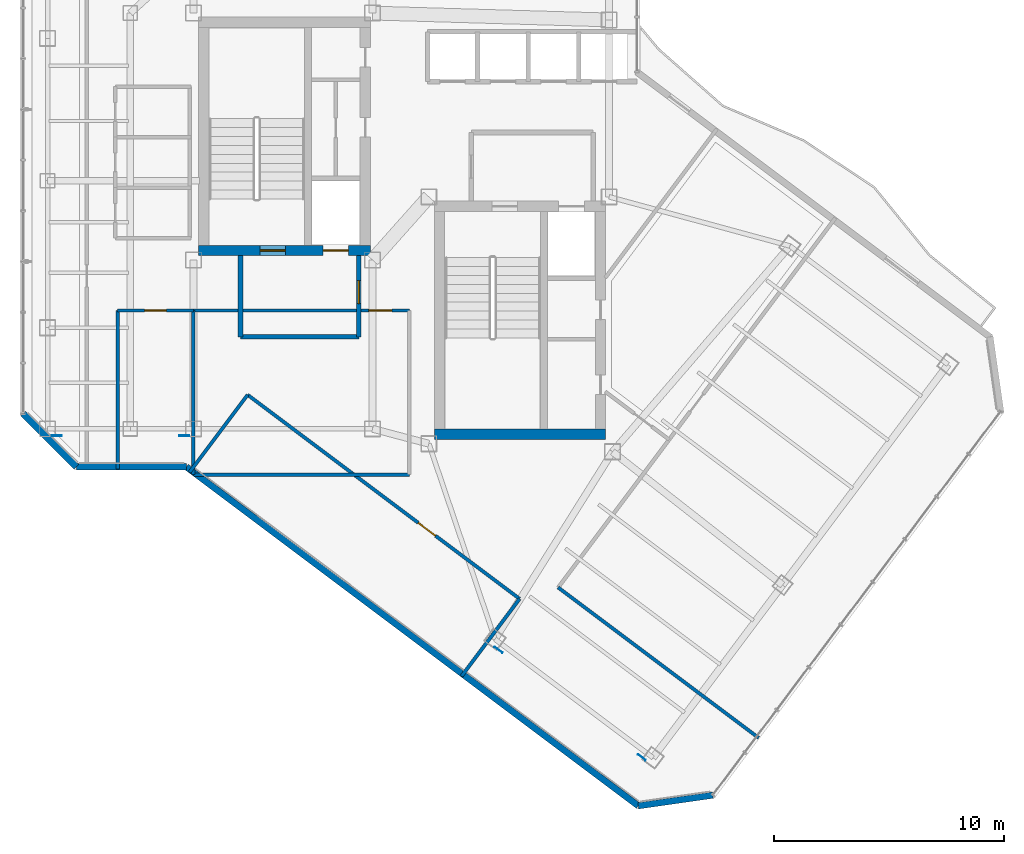
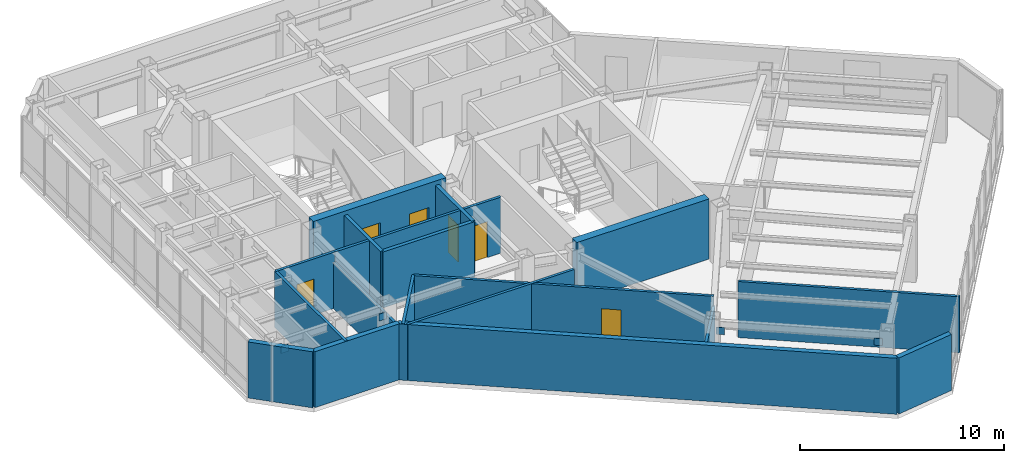
# One storey, part 19 of 25: 18 walls, 6 doors, 4 plates, 6 openings.
"""IFC4 building model written with IfcOpenShell, lengths in metres."""

from ifc_helpers import new_model, si_unit, direction, frame, frame_2d, origin, origin_2d, place, context, subcontext, project, spatial, rectangle, extrude, material, layer, layer_set, type_object, element, fill, save


model = new_model("IFC4")

# Units and contexts
model_context = context("Model", 3, precision=1e-05, world=origin(), true_north=direction((0.0, 1.0)))
body_context = subcontext(model_context, "Body", "Model", "MODEL_VIEW")
ifc_project = project(units=[si_unit("LENGTHUNIT", "METRE"), si_unit("AREAUNIT", "SQUARE_METRE"), si_unit("VOLUMEUNIT", "CUBIC_METRE"), si_unit("PLANEANGLEUNIT", "RADIAN"), si_unit("MASSUNIT", "GRAM", prefix="KILO")], contexts=[model_context])

# Site, building, storey
site_placement = place(None, origin())
site = spatial("IfcSite", under=ifc_project, at=site_placement, CompositionType="ELEMENT")
building_placement = place(site_placement, origin())
building = spatial("IfcBuilding", under=site, at=building_placement, Name="Hatsunagi Terrace Concourse", CompositionType="ELEMENT")
storey_placement = place(building_placement, frame((0.0, 0.0, 220.35009765625)))
storey = spatial("IfcBuildingStorey", under=building, at=storey_placement, Name="L58", CompositionType="ELEMENT", Elevation=220.35009765625)

# Plates
ifc_material_1 = material(Name="Steel SN490C", Category="steel")
ifc_layer_1 = layer(ifc_material_1, 0.031982421875)
ifc_layer_set_1 = layer_set([ifc_layer_1], Name="XBraceNodeCapPlate_32")
plate_type = type_object("IfcPlateType", Name="XBraceNodeCapPlate_32", PredefinedType="USERDEFINED", material=ifc_layer_set_1)
for number, where, z_axis, x_axis, name in (
    (1, (19.60009765625, 24.89990234375, 2.699951171875), (0.0, 0.0, 1.0), (1.0, 0.0, 0.0), "Cast-In Core and Node Embed Plate GP-02 EP-XB-L56-W1-AT"),
    (2, (25.14990234375, 24.89990234375, 2.699951171875), (0.0, 0.0, 1.0), (1.0, 0.0, 0.0), "Cast-In Core and Node Embed Plate GP-02 EP-XB-L56-W1-BT"),
    (3, (38.83203125, 15.575927734375, 2.699951171875), (0.0, 0.0, 1.0), (0.799999996291, -0.600000004945, 0.0), "Cast-In Core and Node Embed Plate GP-02 EP-XB-L56-SE-AT"),
    (4, (45.072021484375, 10.89599609375, 2.699951171875), (0.0, 0.0, 1.0), (0.799999996291, -0.600000004945, 0.0), "Cast-In Core and Node Embed Plate GP-02 EP-XB-L56-SE-BT"),
):
    element("IfcPlate", number, at=place(storey_placement, frame(where, z_axis=z_axis, x_axis=x_axis)), inside=storey, type_object=plate_type, Name=name, ObjectType="GUSSET_PLATE", PredefinedType="USERDEFINED", context=body_context, shape_type="SweptSolid", body=[
        extrude(rectangle(XDim=0.419921875, YDim=0.031982421875, at=origin_2d()), origin(), (0.0, 0.0, 1.0), 0.419921875),
    ])

# Wall, openings, doors
ifc_material_2 = material(Name="Concrete Fc42", Category="concrete")
ifc_layer_2 = layer(ifc_material_2, 0.449951171875)
ifc_layer_set_2 = layer_set([ifc_layer_2], Name="CoreShearWall_Fc42_450")
wall_type_1 = type_object("IfcWallType", Name="CoreShearWall_Fc42_450", PredefinedType="SHEAR", material=ifc_layer_set_2)
wall_1_placement = place(storey_placement, frame((25.77001953125, 32.965087890625, 0.0), z_axis=(0.0, 0.0, 1.0), x_axis=(1.0, 0.0, 0.0)))
wall_1 = element("IfcWall", 5, at=wall_1_placement, inside=storey, type_object=wall_type_1, Name="Core A Shear Wall S L58", PredefinedType="SHEAR", context=body_context, shape_type="SweptSolid", body=[
    extrude(rectangle(XDim=7.47998046875, YDim=0.449951171875, at=frame_2d((3.739990234375, 0.0))), origin(), (0.0, 0.0, 1.0), 3.599853515625),
])
opening_1_placement = place(wall_1_placement, frame((2.679931640625, 0.0, 0.0)))
opening_1 = element("IfcOpeningElement", 6, at=opening_1_placement, cuts=wall_1, Name="Opening DR-110S", PredefinedType="OPENING", context=body_context, shape_type="SweptSolid", body=[
    extrude(rectangle(XDim=1.10009765625, YDim=2.199951171875, at=frame_2d((0.550048828125, 1.10009765625))), frame((0.0, 0.23486328125, 0.0), z_axis=(0.0, -1.0, 0.0), x_axis=(1.0, 0.0, 0.0)), (0.0, 0.0, 1.0), 0.469970703125),
])
opening_2_placement = place(wall_1_placement, frame((5.429931640625, 0.0, 0.0)))
opening_2 = element("IfcOpeningElement", 7, at=opening_2_placement, cuts=wall_1, Name="Opening LD-01", PredefinedType="OPENING", context=body_context, shape_type="SweptSolid", body=[
    extrude(rectangle(XDim=1.10009765625, YDim=2.14990234375, at=frame_2d((0.550048828125, 1.074951171875))), frame((0.0, 0.23486328125, 0.0), z_axis=(0.0, -1.0, 0.0), x_axis=(1.0, 0.0, 0.0)), (0.0, 0.0, 1.0), 0.469970703125),
])
ifc_material_3 = material(Name="Stainless steel", Category="steel")
door_type_1 = type_object("IfcDoorType", Name="LiftLandingDoor_LD01", OperationType="SLIDING_TO_LEFT", PredefinedType="USERDEFINED", material=ifc_material_3)
door_1_placement = place(opening_2_placement, origin())
door_1 = element("IfcDoor", 8, at=door_1_placement, inside=storey, type_object=door_type_1, Name="Lift landing door FF-01 L58", ObjectType="SLIDING_LANDING_DOOR", OperationType="SLIDING_TO_LEFT", OverallHeight=2.14990234375, OverallWidth=1.10009765625, PredefinedType="USERDEFINED", context=body_context, shape_type="SweptSolid", body=[
    extrude(rectangle(XDim=1.10009765625, YDim=2.14990234375, at=frame_2d((0.550048828125, 1.074951171875))), frame((0.0, 0.02490234375, 0.0), z_axis=(0.0, -1.0, 0.0), x_axis=(1.0, 0.0, 0.0)), (0.0, 0.0, 1.0), 0.050048828125),
])
fill(opening_2, door_1)
ifc_material_4 = material(Name="Painted steel", Category="steel")
door_type_2 = type_object("IfcDoorType", Name="StairFireDoor_EI60_1100", OperationType="NOTDEFINED", PredefinedType="DOOR", material=ifc_material_4)
door_2_placement = place(opening_1_placement, origin())
door_2 = element("IfcDoor", 9, at=door_2_placement, inside=storey, type_object=door_type_2, Name="Stair ST-A Exit Door L58", OperationType="SINGLE_SWING_LEFT", OverallHeight=2.199951171875, OverallWidth=1.10009765625, PredefinedType="DOOR", context=body_context, shape_type="SweptSolid", body=[
    extrude(rectangle(XDim=1.10009765625, YDim=2.199951171875, at=frame_2d((0.550048828125, 1.10009765625))), frame((0.0, 0.02490234375, 0.0), z_axis=(0.0, -1.0, 0.0), x_axis=(1.0, 0.0, 0.0)), (0.0, 0.0, 1.0), 0.050048828125),
])
fill(opening_1, door_2)

# Walls
wall_2_placement = place(storey_placement, frame((36.0400390625, 24.965087890625, 0.0), z_axis=(0.0, 0.0, 1.0), x_axis=(1.0, 0.0, 0.0)))
element("IfcWall", 10, at=wall_2_placement, inside=storey, type_object=wall_type_1, Name="Core B Shear Wall S L58", PredefinedType="SHEAR", context=body_context, shape_type="SweptSolid", body=[
    extrude(rectangle(XDim=7.4599609375, YDim=0.449951171875, at=frame_2d((3.72998046875, 0.0))), origin(), (0.0, 0.0, 1.0), 3.599853515625),
])
ifc_material_5 = material(Name="Acoustic mineral board", Category="gypsum")
ifc_layer_3 = layer(ifc_material_5, 0.14990234375)
ifc_layer_set_3 = layer_set([ifc_layer_3], Name="PartitionWall_EI60_150")
wall_type_2 = type_object("IfcWallType", Name="PartitionWall_EI60_150", PredefinedType="PARTITIONING", material=ifc_layer_set_3)
wall_3_placement = place(storey_placement, frame((25.550048828125, 23.199951171875, 0.0), z_axis=(0.0, 0.0, 1.0), x_axis=(1.0, 0.0, 0.0)))
element("IfcWall", 11, at=wall_3_placement, inside=storey, type_object=wall_type_2, Name="Interior Partition IW-L58-026", PredefinedType="PARTITIONING", context=body_context, shape_type="SweptSolid", body=[
    extrude(rectangle(XDim=9.39990234375, YDim=0.14990234375, at=frame_2d((4.699951171875, 0.0))), origin(), (0.0, 0.0, 1.0), 3.349853515625),
])

# Wall, opening, door
wall_4_placement = place(storey_placement, frame((25.550048828125, 30.35009765625, 0.0), z_axis=(0.0, 0.0, 1.0), x_axis=(1.0, 0.0, 0.0)))
wall_4 = element("IfcWall", 12, at=wall_4_placement, inside=storey, type_object=wall_type_2, Name="Interior Partition IW-L58-027", PredefinedType="PARTITIONING", context=body_context, shape_type="SweptSolid", body=[
    extrude(rectangle(XDim=9.39990234375, YDim=0.14990234375, at=frame_2d((4.699951171875, 0.0))), origin(), (0.0, 0.0, 1.0), 3.349853515625),
])
opening_3_placement = place(wall_4_placement, frame((7.637939453125, 0.0, 0.0)))
opening_3 = element("IfcOpeningElement", 13, at=opening_3_placement, cuts=wall_4, Name="Opening DR-100S", PredefinedType="OPENING", context=body_context, shape_type="SweptSolid", body=[
    extrude(rectangle(XDim=1.0, YDim=2.14990234375, at=frame_2d((0.5, 1.074951171875))), frame((0.0, 0.0849609375, 0.0), z_axis=(0.0, -1.0, 0.0), x_axis=(1.0, 0.0, 0.0)), (0.0, 0.0, 1.0), 0.169921875),
])
ifc_material_6 = material(Name="Hardwood timber", Category="wood")
door_type_3 = type_object("IfcDoorType", Name="SuiteDoor_EI30_1000", OperationType="NOTDEFINED", PredefinedType="DOOR", material=ifc_material_6)
door_3_placement = place(opening_3_placement, origin())
door_3 = element("IfcDoor", 14, at=door_3_placement, inside=storey, type_object=door_type_3, Name="Executive Office L58-RECL1 Door", OperationType="SINGLE_SWING_RIGHT", OverallHeight=2.14990234375, OverallWidth=1.0, PredefinedType="DOOR", context=body_context, shape_type="SweptSolid", body=[
    extrude(rectangle(XDim=1.0, YDim=2.14990234375, at=frame_2d((0.5, 1.074951171875))), frame((0.0, 0.02490234375, 0.0), z_axis=(0.0, -1.0, 0.0), x_axis=(1.0, 0.0, 0.0)), (0.0, 0.0, 1.0), 0.050048828125),
])
fill(opening_3, door_3)

# Walls
wall_5_placement = place(storey_placement, frame((25.550048828125, 23.199951171875, 0.0), z_axis=(0.0, 0.0, 1.0), x_axis=(0.0, 1.0, 0.0)))
element("IfcWall", 15, at=wall_5_placement, inside=storey, type_object=wall_type_2, Name="Interior Partition IW-L58-028", PredefinedType="PARTITIONING", context=body_context, shape_type="SweptSolid", body=[
    extrude(rectangle(XDim=7.150146484375, YDim=0.14990234375, at=frame_2d((3.5751953125, 0.0))), origin(), (0.0, 0.0, 1.0), 2.7568359375),
])
wall_6_placement = place(storey_placement, frame((41.429931640625, 18.2900390625, 0.0), z_axis=(0.0, 0.0, 1.0), x_axis=(0.799994629375, -0.600007160767, 0.0)))
element("IfcWall", 16, at=wall_6_placement, inside=storey, type_object=wall_type_2, Name="Interior Partition IW-L58-032", PredefinedType="PARTITIONING", context=body_context, shape_type="SweptSolid", body=[
    extrude(rectangle(XDim=10.91015625, YDim=0.14990234375, at=frame_2d((5.455078125, 0.0))), origin(), (0.0, 0.0, 1.0), 3.349853515625),
])

# Wall, opening, door
wall_7_placement = place(storey_placement, frame((22.25, 30.35009765625, 0.0), z_axis=(0.0, 0.0, 1.0), x_axis=(1.0, 0.0, 0.0)))
wall_7 = element("IfcWall", 17, at=wall_7_placement, inside=storey, type_object=wall_type_2, Name="Interior Partition IW-L58-036", PredefinedType="PARTITIONING", context=body_context, shape_type="SweptSolid", body=[
    extrude(rectangle(XDim=3.300048828125, YDim=0.14990234375, at=frame_2d((1.64990234375, 0.0))), origin(), (0.0, 0.0, 1.0), 3.349853515625),
])
opening_4_placement = place(wall_7_placement, frame((1.175048828125, 0.0, 0.0)))
opening_4 = element("IfcOpeningElement", 18, at=opening_4_placement, cuts=wall_7, Name="Opening DR-095", PredefinedType="OPENING", context=body_context, shape_type="SweptSolid", body=[
    extrude(rectangle(XDim=0.949951171875, YDim=2.14990234375, at=frame_2d((0.47509765625, 1.074951171875))), frame((0.0, 0.0849609375, 0.0), z_axis=(0.0, -1.0, 0.0), x_axis=(1.0, 0.0, 0.0)), (0.0, 0.0, 1.0), 0.169921875),
])
ifc_material_7 = material(Name="Hardwood timber", Category="wood")
door_type_4 = type_object("IfcDoorType", Name="InteriorSuiteDoor_EI30_950", OperationType="NOTDEFINED", PredefinedType="DOOR", material=ifc_material_7)
door_4_placement = place(opening_4_placement, origin())
door_4 = element("IfcDoor", 19, at=door_4_placement, inside=storey, type_object=door_type_4, Name="Private Salon L58-OCSW Door", OperationType="SINGLE_SWING_RIGHT", OverallHeight=2.14990234375, OverallWidth=0.949951171875, PredefinedType="DOOR", context=body_context, shape_type="SweptSolid", body=[
    extrude(rectangle(XDim=0.949951171875, YDim=2.14990234375, at=frame_2d((0.47509765625, 1.074951171875))), frame((0.0, 0.02490234375, 0.0), z_axis=(0.0, -1.0, 0.0), x_axis=(1.0, 0.0, 0.0)), (0.0, 0.0, 1.0), 0.050048828125),
])
fill(opening_4, door_4)

# Wall
wall_8_placement = place(storey_placement, frame((22.25, 23.43994140625, 0.0), z_axis=(0.0, 0.0, 1.0), x_axis=(0.0, 1.0, 0.0)))
element("IfcWall", 20, at=wall_8_placement, inside=storey, type_object=wall_type_2, Name="Interior Partition IW-L58-037", PredefinedType="PARTITIONING", context=body_context, shape_type="SweptSolid", body=[
    extrude(rectangle(XDim=6.91015625, YDim=0.14990234375, at=frame_2d((3.455078125, 0.0))), origin(), (0.0, 0.0, 1.0), 3.349853515625),
])

# Wall, opening, door
wall_9_placement = place(storey_placement, frame((27.909912109375, 26.679931640625, 0.0), z_axis=(0.0, 0.0, 1.0), x_axis=(0.800005938517, -0.599992081896, 0.0)))
wall_9 = element("IfcWall", 21, at=wall_9_placement, inside=storey, type_object=wall_type_2, Name="Interior Partition IW-L58-038", PredefinedType="PARTITIONING", context=body_context, shape_type="SweptSolid", body=[
    extrude(rectangle(XDim=14.800048828125, YDim=0.14990234375, at=frame_2d((7.39990234375, 0.0))), origin(), (0.0, 0.0, 1.0), 3.349853515625),
])
opening_5_placement = place(wall_9_placement, frame((9.281005859375, 0.0, 0.0)))
opening_5 = element("IfcOpeningElement", 22, at=opening_5_placement, cuts=wall_9, Name="Opening DR-095", PredefinedType="OPENING", context=body_context, shape_type="SweptSolid", body=[
    extrude(rectangle(XDim=0.949951171875, YDim=2.14990234375, at=frame_2d((0.47509765625, 1.074951171875))), frame((0.0, 0.0849609375, 0.0), z_axis=(0.0, -1.0, 0.0), x_axis=(1.0, 0.0, 0.0)), (0.0, 0.0, 1.0), 0.169921875),
])
door_5_placement = place(opening_5_placement, origin())
door_5 = element("IfcDoor", 23, at=door_5_placement, inside=storey, type_object=door_type_4, Name="Research Focus Suite L58-OSWS Door", OperationType="SINGLE_SWING_RIGHT", OverallHeight=2.14990234375, OverallWidth=0.949951171875, PredefinedType="DOOR", context=body_context, shape_type="SweptSolid", body=[
    extrude(rectangle(XDim=0.949951171875, YDim=2.14990234375, at=frame_2d((0.47509765625, 1.074951171875))), frame((0.0, 0.02490234375, 0.0), z_axis=(0.0, -1.0, 0.0), x_axis=(1.0, 0.0, 0.0)), (0.0, 0.0, 1.0), 0.050048828125),
])
fill(opening_5, door_5)

# Walls
wall_10_placement = place(storey_placement, frame((25.384033203125, 23.31201171875, 0.0), z_axis=(0.0, 0.0, 1.0), x_axis=(0.599990721155, 0.80000695905, 0.0)))
element("IfcWall", 24, at=wall_10_placement, inside=storey, type_object=wall_type_2, Name="Interior Partition IW-L58-039", PredefinedType="PARTITIONING", context=body_context, shape_type="SweptSolid", body=[
    extrude(rectangle(XDim=4.2099609375, YDim=0.14990234375, at=frame_2d((2.10498046875, 0.0))), origin(), (0.0, 0.0, 1.0), 3.349853515625),
])
wall_11_placement = place(storey_placement, frame((37.22412109375, 14.431884765625, 0.0), z_axis=(0.0, 0.0, 1.0), x_axis=(0.599962885857, 0.800027834262, 0.0)))
element("IfcWall", 25, at=wall_11_placement, inside=storey, type_object=wall_type_2, Name="Interior Partition IW-L58-040", PredefinedType="PARTITIONING", context=body_context, shape_type="SweptSolid", body=[
    extrude(rectangle(XDim=4.2099609375, YDim=0.14990234375, at=frame_2d((2.10498046875, 0.0))), origin(), (0.0, 0.0, 1.0), 2.7568359375),
])
ifc_material_8 = material(Name="Acoustic mineral board", Category="gypsum")
ifc_layer_4 = layer(ifc_material_8, 0.199951171875)
ifc_layer_set_4 = layer_set([ifc_layer_4], Name="ShaftWall_EI120_200")
wall_type_3 = type_object("IfcWallType", Name="ShaftWall_EI120_200", PredefinedType="STANDARD", material=ifc_layer_set_4)
wall_12_placement = place(storey_placement, frame((27.60009765625, 29.199951171875, 0.0), z_axis=(0.0, 0.0, 1.0), x_axis=(1.0, 0.0, 0.0)))
element("IfcWall", 26, at=wall_12_placement, inside=storey, type_object=wall_type_3, Name="Interior Partition IW-L58-006", PredefinedType="STANDARD", context=body_context, shape_type="SweptSolid", body=[
    extrude(rectangle(XDim=5.14990234375, YDim=0.199951171875, at=frame_2d((2.574951171875, 0.0))), origin(), (0.0, 0.0, 1.0), 3.349853515625),
])
wall_13_placement = place(storey_placement, frame((27.60009765625, 29.199951171875, 0.0), z_axis=(0.0, 0.0, 1.0), x_axis=(0.0, 1.0, 0.0)))
element("IfcWall", 27, at=wall_13_placement, inside=storey, type_object=wall_type_3, Name="Interior Partition IW-L58-007", PredefinedType="STANDARD", context=body_context, shape_type="SweptSolid", body=[
    extrude(rectangle(XDim=3.5400390625, YDim=0.199951171875, at=frame_2d((1.77001953125, 0.0))), origin(), (0.0, 0.0, 1.0), 3.349853515625),
])

# Wall, opening, door
wall_14_placement = place(storey_placement, frame((32.75, 29.199951171875, 0.0), z_axis=(0.0, 0.0, 1.0), x_axis=(0.0, 1.0, 0.0)))
wall_14 = element("IfcWall", 28, at=wall_14_placement, inside=storey, type_object=wall_type_3, Name="Interior Partition IW-L58-008", PredefinedType="STANDARD", context=body_context, shape_type="SweptSolid", body=[
    extrude(rectangle(XDim=3.5400390625, YDim=0.199951171875, at=frame_2d((1.77001953125, 0.0))), origin(), (0.0, 0.0, 1.0), 3.349853515625),
])
opening_6_placement = place(wall_14_placement, frame((1.449951171875, 0.0, 0.0)))
opening_6 = element("IfcOpeningElement", 29, at=opening_6_placement, cuts=wall_14, Name="Opening DR-100F", PredefinedType="OPENING", context=body_context, shape_type="SweptSolid", body=[
    extrude(rectangle(XDim=1.0, YDim=2.199951171875, at=frame_2d((0.5, 1.10009765625))), frame((0.0, 0.10986328125, 0.0), z_axis=(0.0, -1.0, 0.0), x_axis=(1.0, 0.0, 0.0)), (0.0, 0.0, 1.0), 0.219970703125),
])
ifc_material_9 = material(Name="Painted steel", Category="steel")
door_type_5 = type_object("IfcDoorType", Name="FireDoor_EI60_1000", OperationType="NOTDEFINED", PredefinedType="DOOR", material=ifc_material_9)
door_6_placement = place(opening_6_placement, origin())
door_6 = element("IfcDoor", 30, at=door_6_placement, inside=storey, type_object=door_type_5, Name="Firefighting Lobby A Door L58", OperationType="SINGLE_SWING_RIGHT", OverallHeight=2.199951171875, OverallWidth=1.0, PredefinedType="DOOR", context=body_context, shape_type="SweptSolid", body=[
    extrude(rectangle(XDim=1.0, YDim=2.199951171875, at=frame_2d((0.5, 1.10009765625))), frame((0.0, 0.02490234375, 0.0), z_axis=(0.0, -1.0, 0.0), x_axis=(1.0, 0.0, 0.0)), (0.0, 0.0, 1.0), 0.050048828125),
])
fill(opening_6, door_6)

# Walls
ifc_material_10 = material(Name="Autoclaved Lightweight Concrete and Terracotta Cladding", Category="masonry")
ifc_layer_5 = layer(ifc_material_10, 0.280029296875)
ifc_layer_set_5 = layer_set([ifc_layer_5], Name="TerracottaSpandrelWall_280")
wall_type_4 = type_object("IfcWallType", Name="TerracottaSpandrelWall_280", PredefinedType="STANDARD", material=ifc_layer_set_5)
wall_15_placement = place(storey_placement, frame((48.1630859375, 9.25, 0.0), z_axis=(0.0, 0.0, 1.0), x_axis=(-0.989979263428, -0.141212810973, 0.0)))
element("IfcWall", 31, at=wall_15_placement, inside=storey, type_object=wall_type_4, Name="Exterior Spandrel Wall EW-L58-04", PredefinedType="STANDARD", context=body_context, shape_type="SweptSolid", body=[
    extrude(rectangle(XDim=3.278076171875, YDim=0.280029296875, at=frame_2d((1.63916015625, 0.0))), origin(), (0.0, 0.0, 1.0), 3.349853515625),
])
wall_16_placement = place(storey_placement, frame((44.91796875, 8.787109375, 0.0), z_axis=(0.0, 0.0, 1.0), x_axis=(-0.800004765927, 0.599993645378, 0.0)))
element("IfcWall", 32, at=wall_16_placement, inside=storey, type_object=wall_type_4, Name="Exterior Spandrel Wall EW-L58-05", PredefinedType="STANDARD", context=body_context, shape_type="SweptSolid", body=[
    extrude(rectangle(XDim=24.58837890625, YDim=0.280029296875, at=frame_2d((12.294189453125, 0.0))), origin(), (0.0, 0.0, 1.0), 3.349853515625),
])
wall_17_placement = place(storey_placement, frame((25.2470703125, 23.5400390625, 0.0), z_axis=(0.0, 0.0, 1.0), x_axis=(-1.0, 0.0, 0.0)))
element("IfcWall", 33, at=wall_17_placement, inside=storey, type_object=wall_type_4, Name="Exterior Spandrel Wall EW-L58-06", PredefinedType="STANDARD", context=body_context, shape_type="SweptSolid", body=[
    extrude(rectangle(XDim=4.7890625, YDim=0.280029296875, at=frame_2d((2.39453125, 0.0))), origin(), (0.0, 0.0, 1.0), 3.349853515625),
])
wall_18_placement = place(storey_placement, frame((20.4580078125, 23.5400390625, 0.0), z_axis=(0.0, 0.0, 1.0), x_axis=(-0.707144017911, 0.707069542501, 0.0)))
element("IfcWall", 34, at=wall_18_placement, inside=storey, type_object=wall_type_4, Name="Exterior Spandrel Wall EW-L58-07", PredefinedType="STANDARD", context=body_context, shape_type="SweptSolid", body=[
    extrude(rectangle(XDim=3.278076171875, YDim=0.280029296875, at=frame_2d((1.63916015625, 0.0))), origin(), (0.0, 0.0, 1.0), 3.349853515625),
])

save(model, "model.ifc")
